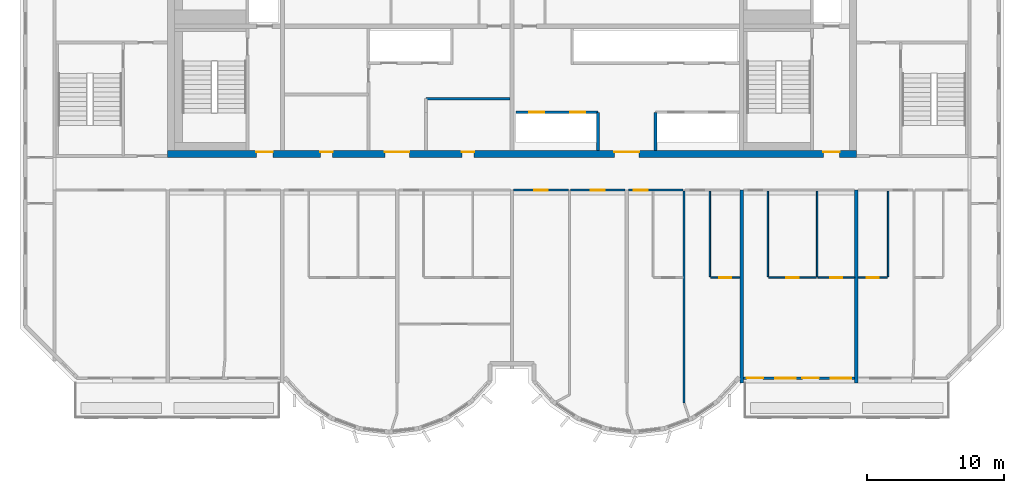
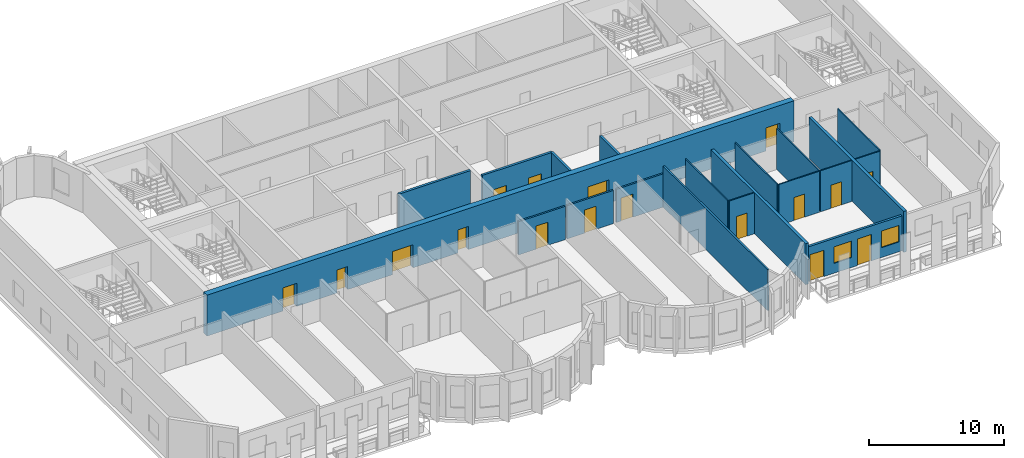
# One storey, part 5 of 12: 20 walls, 17 doors, 2 windows, 19 openings.
"""IFC4 building model written with IfcOpenShell, lengths in metres."""

from ifc_helpers import new_model, si_unit, direction, frame, frame_2d, origin, place, context, subcontext, project, spatial, rectangle, extrude, source, transform, mapped, material, layer, layer_set, type_object, element, fill, save


model = new_model("IFC4")

# Units and contexts
model_context = context("Model", 3, precision=1e-05, world=origin(), true_north=direction((0.0, 1.0)))
body_context = subcontext(model_context, "Body", "Model", "MODEL_VIEW")
ifc_project = project(units=[si_unit("LENGTHUNIT", "METRE"), si_unit("AREAUNIT", "SQUARE_METRE"), si_unit("VOLUMEUNIT", "CUBIC_METRE"), si_unit("PLANEANGLEUNIT", "RADIAN"), si_unit("MASSUNIT", "GRAM", prefix="KILO")], contexts=[model_context])

# Site, building, storey
site_placement = place(None, origin())
site = spatial("IfcSite", under=ifc_project, at=site_placement, CompositionType="ELEMENT")
building_placement = place(site_placement, origin())
building = spatial("IfcBuilding", under=site, at=building_placement, Name="Vanashikhar Sky Hotel", CompositionType="ELEMENT")
storey_placement = place(building_placement, frame((0.0, 0.0, 309.699951171875)))
storey = spatial("IfcBuildingStorey", under=building, at=storey_placement, Name="L74", CompositionType="ELEMENT", Elevation=309.699951171875)

# Wall, openings, doors
ifc_material_1 = material(Name="Concrete M50", Category="concrete")
ifc_layer_1 = layer(ifc_material_1, 0.5)
ifc_layer_set_1 = layer_set([ifc_layer_1], Name="RC core shell wall 500 Concrete M50")
wall_type_1 = type_object("IfcWallType", Name="RC core shell wall 500 Concrete M50", PredefinedType="SHEAR", material=ifc_layer_set_1)
shared_shape_1 = source(origin(), body_context, "Body", "SweptSolid", [
    extrude(rectangle(XDim=50.400146484375, YDim=0.5, at=frame_2d((25.2001953125, 0.0))), origin(), (0.0, 0.0, 1.0), 3.719970703125),
])
wall_1_placement = place(storey_placement, frame((25.199951171875, 22.25, 0.0), z_axis=(0.0, 0.0, 1.0), x_axis=(1.0, 0.0, 0.0)))
wall_1 = element("IfcWall", 1, at=wall_1_placement, inside=storey, type_object=wall_type_1, Name="KW-L74-KS", PredefinedType="SHEAR", context=body_context, shape_type="MappedRepresentation", body=[
    mapped(shared_shape_1, transform((0.0, 0.0, 0.0), scale=1.0)),
])
shared_shape_2 = source(origin(), body_context, "Body", "SweptSolid", [
    extrude(rectangle(XDim=1.800048828125, YDim=2.10009765625, at=frame_2d((0.89990234375, 1.050048828125))), frame((0.0, 0.260009765625, 0.0), z_axis=(0.0, -1.0, 0.0), x_axis=(1.0, 0.0, 0.0)), (0.0, 0.0, 1.0), 0.52001953125),
])
opening_1_placement = place(wall_1_placement, frame((15.89990234375, 0.0, 0.0)))
opening_1 = element("IfcOpeningElement", 2, at=opening_1_placement, cuts=wall_1, Name="Opening DC-3-A", PredefinedType="OPENING", context=body_context, shape_type="MappedRepresentation", body=[
    mapped(shared_shape_2, transform((0.0, 0.0, 0.0), scale=1.0)),
])
shared_shape_3 = source(origin(), body_context, "Body", "SweptSolid", [
    extrude(rectangle(XDim=0.89990234375, YDim=2.10009765625, at=frame_2d((0.449951171875, 1.050048828125))), frame((0.0, 0.260009765625, 0.0), z_axis=(0.0, -1.0, 0.0), x_axis=(1.0, 0.0, 0.0)), (0.0, 0.0, 1.0), 0.52001953125),
])
opening_2_placement = place(wall_1_placement, frame((11.175048828125, 0.0, 0.0)))
opening_2 = element("IfcOpeningElement", 3, at=opening_2_placement, cuts=wall_1, Name="Opening DC-4-A", PredefinedType="OPENING", context=body_context, shape_type="MappedRepresentation", body=[
    mapped(shared_shape_3, transform((0.0, 0.0, 0.0), scale=1.0)),
])
opening_3_placement = place(wall_1_placement, frame((21.52490234375, 0.0, 0.0)))
opening_3 = element("IfcOpeningElement", 4, at=opening_3_placement, cuts=wall_1, Name="Opening DC-4-A", PredefinedType="OPENING", context=body_context, shape_type="MappedRepresentation", body=[
    mapped(shared_shape_3, transform((0.0, 0.0, 0.0), scale=1.0)),
])
opening_4_placement = place(wall_1_placement, frame((32.699951171875, 0.0, 0.0)))
opening_4 = element("IfcOpeningElement", 5, at=opening_4_placement, cuts=wall_1, Name="Opening DC-3-A", PredefinedType="OPENING", context=body_context, shape_type="MappedRepresentation", body=[
    mapped(shared_shape_2, transform((0.0, 0.0, 0.0), scale=1.0)),
])
shared_shape_4 = source(origin(), body_context, "Body", "SweptSolid", [
    extrude(rectangle(XDim=1.199951171875, YDim=2.10009765625, at=frame_2d((0.60009765625, 1.050048828125))), frame((0.0, 0.260009765625, 0.0), z_axis=(0.0, -1.0, 0.0), x_axis=(1.0, 0.0, 0.0)), (0.0, 0.0, 1.0), 0.52001953125),
])
opening_5_placement = place(wall_1_placement, frame((6.5, 0.0, 0.0)))
opening_5 = element("IfcOpeningElement", 6, at=opening_5_placement, cuts=wall_1, Name="Opening DC-2", PredefinedType="OPENING", context=body_context, shape_type="MappedRepresentation", body=[
    mapped(shared_shape_4, transform((0.0, 0.0, 0.0), scale=1.0)),
])
opening_6_placement = place(wall_1_placement, frame((47.97509765625, 0.0, 0.0)))
opening_6 = element("IfcOpeningElement", 7, at=opening_6_placement, cuts=wall_1, Name="Opening DC-2", PredefinedType="OPENING", context=body_context, shape_type="MappedRepresentation", body=[
    mapped(shared_shape_4, transform((0.0, 0.0, 0.0), scale=1.0)),
])
ifc_material_2 = material(Name="Steel", Category="steel")
door_type_1 = type_object("IfcDoorType", Name="Firefighting lobby door 1200 FD120", OperationType="NOTDEFINED", PredefinedType="DOOR", material=ifc_material_2)
shared_shape_5 = source(origin(), body_context, "Body", "SweptSolid", [
    extrude(rectangle(XDim=1.199951171875, YDim=2.10009765625, at=frame_2d((0.60009765625, 1.050048828125))), frame((0.0, 0.1748046875, 0.0), z_axis=(0.0, -1.0, 0.0), x_axis=(1.0, 0.0, 0.0)), (0.0, 0.0, 1.0), 0.050048828125),
])
door_1_placement = place(opening_5_placement, origin())
door_1 = element("IfcDoor", 8, at=door_1_placement, inside=storey, type_object=door_type_1, Name="Firefighting lobby door 1200 FD120", OperationType="SINGLE_SWING_LEFT", OverallHeight=2.10009765625, OverallWidth=1.199951171875, PredefinedType="DOOR", context=body_context, shape_type="MappedRepresentation", body=[
    mapped(shared_shape_5, transform((0.0, 0.0, 0.0), scale=1.0)),
])
fill(opening_5, door_1)
door_2_placement = place(opening_6_placement, origin())
door_2 = element("IfcDoor", 9, at=door_2_placement, inside=storey, type_object=door_type_1, Name="Firefighting lobby door 1200 FD120", OperationType="SINGLE_SWING_RIGHT", OverallHeight=2.10009765625, OverallWidth=1.199951171875, PredefinedType="DOOR", context=body_context, shape_type="MappedRepresentation", body=[
    mapped(shared_shape_5, transform((0.0, 0.0, 0.0), scale=1.0)),
])
fill(opening_6, door_2)
door_type_2 = type_object("IfcDoorType", Name="Service door 900 FD60", OperationType="NOTDEFINED", PredefinedType="DOOR", material=ifc_material_2)
shared_shape_6 = source(origin(), body_context, "Body", "SweptSolid", [
    extrude(rectangle(XDim=0.89990234375, YDim=2.10009765625, at=frame_2d((0.449951171875, 1.050048828125))), frame((0.0, 0.1748046875, 0.0), z_axis=(0.0, -1.0, 0.0), x_axis=(1.0, 0.0, 0.0)), (0.0, 0.0, 1.0), 0.050048828125),
])
door_3_placement = place(opening_2_placement, origin())
door_3 = element("IfcDoor", 10, at=door_3_placement, inside=storey, type_object=door_type_2, Name="Service door 900 FD60", OperationType="SINGLE_SWING_LEFT", OverallHeight=2.10009765625, OverallWidth=0.89990234375, PredefinedType="DOOR", context=body_context, shape_type="MappedRepresentation", body=[
    mapped(shared_shape_6, transform((0.0, 0.0, 0.0), scale=1.0)),
])
fill(opening_2, door_3)
door_4_placement = place(opening_3_placement, origin())
door_4 = element("IfcDoor", 11, at=door_4_placement, inside=storey, type_object=door_type_2, Name="Service door 900 FD60", OperationType="SINGLE_SWING_LEFT", OverallHeight=2.10009765625, OverallWidth=0.89990234375, PredefinedType="DOOR", context=body_context, shape_type="MappedRepresentation", body=[
    mapped(shared_shape_6, transform((0.0, 0.0, 0.0), scale=1.0)),
])
fill(opening_3, door_4)
ifc_material_3 = material(Name="Glass", Category="glass")
door_type_3 = type_object("IfcDoorType", Name="Lift lobby entrance door 1800 FD30S", OperationType="NOTDEFINED", PredefinedType="DOOR", material=ifc_material_3)
shared_shape_7 = source(origin(), body_context, "Body", "SweptSolid", [
    extrude(rectangle(XDim=1.800048828125, YDim=2.10009765625, at=frame_2d((0.89990234375, 1.050048828125))), frame((0.0, 0.1748046875, 0.0), z_axis=(0.0, -1.0, 0.0), x_axis=(1.0, 0.0, 0.0)), (0.0, 0.0, 1.0), 0.050048828125),
])
door_5_placement = place(opening_1_placement, origin())
door_5 = element("IfcDoor", 12, at=door_5_placement, inside=storey, type_object=door_type_3, Name="Lift lobby entrance door 1800 FD30S", OperationType="DOUBLE_DOOR_SINGLE_SWING", OverallHeight=2.10009765625, OverallWidth=1.800048828125, PredefinedType="DOOR", context=body_context, shape_type="MappedRepresentation", body=[
    mapped(shared_shape_7, transform((0.0, 0.0, 0.0), scale=1.0)),
])
fill(opening_1, door_5)
door_6_placement = place(opening_4_placement, origin())
door_6 = element("IfcDoor", 13, at=door_6_placement, inside=storey, type_object=door_type_3, Name="Lift lobby entrance door 1800 FD30S", OperationType="DOUBLE_DOOR_SINGLE_SWING", OverallHeight=2.10009765625, OverallWidth=1.800048828125, PredefinedType="DOOR", context=body_context, shape_type="MappedRepresentation", body=[
    mapped(shared_shape_7, transform((0.0, 0.0, 0.0), scale=1.0)),
])
fill(opening_4, door_6)

# Walls
ifc_layer_2 = layer(ifc_material_1, 0.25)
ifc_layer_set_2 = layer_set([ifc_layer_2], Name="RC shear wall 250 Concrete M50")
wall_type_2 = type_object("IfcWallType", Name="RC shear wall 250 Concrete M50", PredefinedType="SHEAR", material=ifc_layer_set_2)
shared_shape_8 = source(origin(), body_context, "Body", "SweptSolid", [
    extrude(rectangle(XDim=14.10009765625, YDim=0.25, at=frame_2d((7.050048828125, 0.0))), origin(), (0.0, 0.0, 1.0), 3.719970703125),
])
for number, where, z_axis, x_axis, name in (
    (14, (67.199951171875, 5.5, 0.0), (0.0, 0.0, 1.0), (0.0, 1.0, 0.0), "CW-L74-XW09-1"),
    (15, (75.60009765625, 5.5, 0.0), (0.0, 0.0, 1.0), (0.0, 1.0, 0.0), "CW-L74-XW10-1"),
):
    element("IfcWall", number, at=place(storey_placement, frame(where, z_axis=z_axis, x_axis=x_axis)), inside=storey, type_object=wall_type_2, Name=name, PredefinedType="SHEAR", context=body_context, shape_type="MappedRepresentation", body=[
        mapped(shared_shape_8, transform((0.0, 0.0, 0.0), scale=1.0)),
    ])

# Wall, openings, windows, doors
ifc_layer_3 = layer(ifc_material_1, 0.199951171875)
ifc_layer_set_3 = layer_set([ifc_layer_3], Name="Front window wall 200")
wall_type_3 = type_object("IfcWallType", Name="Front window wall 200", PredefinedType="SOLIDWALL", material=ifc_layer_set_3)
shared_shape_9 = source(origin(), body_context, "Body", "SweptSolid", [
    extrude(rectangle(XDim=8.150146484375, YDim=0.199951171875, at=frame_2d((4.0751953125, 0.0))), origin(), (0.0, 0.0, 1.0), 3.170166015625),
])
wall_2_placement = place(storey_placement, frame((67.324951171875, 5.85009765625, 0.0), z_axis=(0.0, 0.0, 1.0), x_axis=(1.0, 0.0, 0.0)))
wall_2 = element("IfcWall", 16, at=wall_2_placement, inside=storey, type_object=wall_type_3, Name="Front window wall", PredefinedType="SOLIDWALL", context=body_context, shape_type="MappedRepresentation", body=[
    mapped(shared_shape_9, transform((0.0, 0.0, 0.0), scale=1.0)),
])
shared_shape_10 = source(origin(), body_context, "Body", "SweptSolid", [
    extrude(rectangle(XDim=1.199951171875, YDim=2.39990234375, at=frame_2d((0.60009765625, 1.199951171875))), frame((0.0, 0.10986328125, 0.0), z_axis=(0.0, -1.0, 0.0), x_axis=(1.0, 0.0, 0.0)), (0.0, 0.0, 1.0), 0.219970703125),
])
opening_7_placement = place(wall_2_placement, frame((0.25, 0.0, 0.0)))
opening_7 = element("IfcOpeningElement", 17, at=opening_7_placement, cuts=wall_2, Name="Opening BD-03", PredefinedType="OPENING", context=body_context, shape_type="MappedRepresentation", body=[
    mapped(shared_shape_10, transform((0.0, 0.0, 0.0), scale=1.0)),
])
shared_shape_11 = source(origin(), body_context, "Body", "SweptSolid", [
    extrude(rectangle(XDim=1.5, YDim=1.5, at=frame_2d((0.75, 0.75))), frame((0.0, 0.10986328125, 0.0), z_axis=(0.0, -1.0, 0.0), x_axis=(1.0, 0.0, 0.0)), (0.0, 0.0, 1.0), 0.219970703125),
])
opening_8_placement = place(wall_2_placement, frame((2.324951171875, 0.0, 0.89990234375)))
opening_8 = element("IfcOpeningElement", 18, at=opening_8_placement, cuts=wall_2, Name="Opening WN-1", PredefinedType="OPENING", context=body_context, shape_type="MappedRepresentation", body=[
    mapped(shared_shape_11, transform((0.0, 0.0, 0.0), scale=1.0)),
])
opening_9_placement = place(wall_2_placement, frame((4.324951171875, 0.0, 0.0)))
opening_9 = element("IfcOpeningElement", 19, at=opening_9_placement, cuts=wall_2, Name="Opening BD-04", PredefinedType="OPENING", context=body_context, shape_type="MappedRepresentation", body=[
    mapped(shared_shape_10, transform((0.0, 0.0, 0.0), scale=1.0)),
])
opening_10_placement = place(wall_2_placement, frame((6.39990234375, 0.0, 0.89990234375)))
opening_10 = element("IfcOpeningElement", 20, at=opening_10_placement, cuts=wall_2, Name="Opening WN-1", PredefinedType="OPENING", context=body_context, shape_type="MappedRepresentation", body=[
    mapped(shared_shape_11, transform((0.0, 0.0, 0.0), scale=1.0)),
])
window_type = type_object("IfcWindowType", Name="Window 1500 x 1500", PartitioningType="SINGLE_PANEL", PredefinedType="WINDOW", material=ifc_material_3)
shared_shape_12 = source(origin(), body_context, "Body", "SweptSolid", [
    extrude(rectangle(XDim=1.5, YDim=1.5, at=frame_2d((0.75, 0.75))), frame((0.0, 0.030029296875, 0.0), z_axis=(0.0, -1.0, 0.0), x_axis=(1.0, 0.0, 0.0)), (0.0, 0.0, 1.0), 0.06005859375),
])
window_1_placement = place(opening_8_placement, origin())
window_1 = element("IfcWindow", 21, at=window_1_placement, inside=storey, type_object=window_type, Name="Window WN-1", OverallHeight=1.5, OverallWidth=1.5, PartitioningType="SINGLE_PANEL", PredefinedType="WINDOW", context=body_context, shape_type="MappedRepresentation", body=[
    mapped(shared_shape_12, transform((0.0, 0.0, 0.0), scale=1.0)),
])
fill(opening_8, window_1)
window_2_placement = place(opening_10_placement, origin())
window_2 = element("IfcWindow", 22, at=window_2_placement, inside=storey, type_object=window_type, Name="Window WN-1", OverallHeight=1.5, OverallWidth=1.5, PartitioningType="SINGLE_PANEL", PredefinedType="WINDOW", context=body_context, shape_type="MappedRepresentation", body=[
    mapped(shared_shape_12, transform((0.0, 0.0, 0.0), scale=1.0)),
])
fill(opening_10, window_2)
ifc_material_4 = material(Name="Aluminium", Category="aluminium")
door_type_4 = type_object("IfcDoorType", Name="Balcony sliding door 1200 x 2400", OperationType="NOTDEFINED", PredefinedType="DOOR", material=ifc_material_4)
shared_shape_13 = source(origin(), body_context, "Body", "SweptSolid", [
    extrude(rectangle(XDim=1.199951171875, YDim=2.39990234375, at=frame_2d((0.60009765625, 1.199951171875))), frame((0.0, 0.02490234375, 0.0), z_axis=(0.0, -1.0, 0.0), x_axis=(1.0, 0.0, 0.0)), (0.0, 0.0, 1.0), 0.050048828125),
])
door_7_placement = place(opening_7_placement, origin())
door_7 = element("IfcDoor", 23, at=door_7_placement, inside=storey, type_object=door_type_4, Name="Balcony sliding door", OperationType="SLIDING_TO_LEFT", OverallHeight=2.39990234375, OverallWidth=1.199951171875, PredefinedType="DOOR", context=body_context, shape_type="MappedRepresentation", body=[
    mapped(shared_shape_13, transform((0.0, 0.0, 0.0), scale=1.0)),
])
fill(opening_7, door_7)
door_8_placement = place(opening_9_placement, origin())
door_8 = element("IfcDoor", 24, at=door_8_placement, inside=storey, type_object=door_type_4, Name="Balcony sliding door", OperationType="SLIDING_TO_RIGHT", OverallHeight=2.39990234375, OverallWidth=1.199951171875, PredefinedType="DOOR", context=body_context, shape_type="MappedRepresentation", body=[
    mapped(shared_shape_13, transform((0.0, 0.0, 0.0), scale=1.0)),
])
fill(opening_9, door_8)

# Wall, openings, doors
ifc_material_5 = material(Name="Concrete M40", Category="concrete")
ifc_layer_4 = layer(ifc_material_5, 0.199951171875)
ifc_layer_set_4 = layer_set([ifc_layer_4], Name="Shaft wall 200")
wall_type_4 = type_object("IfcWallType", Name="Shaft wall 200", PredefinedType="SOLIDWALL", material=ifc_layer_set_4)
shared_shape_14 = source(origin(), body_context, "Body", "SweptSolid", [
    extrude(rectangle(XDim=6.0, YDim=0.199951171875, at=frame_2d((3.0, 0.0))), origin(), (0.0, 0.0, 1.0), 3.719970703125),
])
wall_3_placement = place(storey_placement, frame((56.699951171875, 25.300048828125, 0.0), z_axis=(0.0, 0.0, 1.0), x_axis=(-1.0, 0.0, 0.0)))
wall_3 = element("IfcWall", 25, at=wall_3_placement, inside=storey, type_object=wall_type_4, Name="Shaft wall 200", PredefinedType="SOLIDWALL", context=body_context, shape_type="MappedRepresentation", body=[
    mapped(shared_shape_14, transform((0.0, 0.0, 0.0), scale=1.0)),
])
shared_shape_15 = source(origin(), body_context, "Body", "SweptSolid", [
    extrude(rectangle(XDim=1.10009765625, YDim=2.10009765625, at=frame_2d((0.550048828125, 1.050048828125))), frame((0.0, 0.10986328125, 0.0), z_axis=(0.0, -1.0, 0.0), x_axis=(1.0, 0.0, 0.0)), (0.0, 0.0, 1.0), 0.219970703125),
])
opening_11_placement = place(wall_3_placement, frame((0.949951171875, 0.0, 0.0)))
opening_11 = element("IfcOpeningElement", 26, at=opening_11_placement, cuts=wall_3, Name="Opening LD", PredefinedType="OPENING", context=body_context, shape_type="MappedRepresentation", body=[
    mapped(shared_shape_15, transform((0.0, 0.0, 0.0), scale=1.0)),
])
opening_12_placement = place(wall_3_placement, frame((3.949951171875, 0.0, 0.0)))
opening_12 = element("IfcOpeningElement", 27, at=opening_12_placement, cuts=wall_3, Name="Opening LD", PredefinedType="OPENING", context=body_context, shape_type="MappedRepresentation", body=[
    mapped(shared_shape_15, transform((0.0, 0.0, 0.0), scale=1.0)),
])
ifc_material_6 = material(Name="Stainless steel", Category="steel")
door_type_5 = type_object("IfcDoorType", Name="Lift landing door 1100", OperationType="NOTDEFINED", PredefinedType="DOOR", material=ifc_material_6)
shared_shape_16 = source(origin(), body_context, "Body", "SweptSolid", [
    extrude(rectangle(XDim=1.10009765625, YDim=2.10009765625, at=frame_2d((0.550048828125, 1.050048828125))), frame((0.0, 0.02490234375, 0.0), z_axis=(0.0, -1.0, 0.0), x_axis=(1.0, 0.0, 0.0)), (0.0, 0.0, 1.0), 0.050048828125),
])
door_9_placement = place(opening_11_placement, origin())
door_9 = element("IfcDoor", 28, at=door_9_placement, inside=storey, type_object=door_type_5, Name="Lift landing door 1100", OperationType="SLIDING_TO_RIGHT", OverallHeight=2.10009765625, OverallWidth=1.10009765625, PredefinedType="DOOR", context=body_context, shape_type="MappedRepresentation", body=[
    mapped(shared_shape_16, transform((0.0, 0.0, 0.0), scale=1.0)),
])
fill(opening_11, door_9)
door_10_placement = place(opening_12_placement, origin())
door_10 = element("IfcDoor", 29, at=door_10_placement, inside=storey, type_object=door_type_5, Name="Lift landing door 1100", OperationType="SLIDING_TO_LEFT", OverallHeight=2.10009765625, OverallWidth=1.10009765625, PredefinedType="DOOR", context=body_context, shape_type="MappedRepresentation", body=[
    mapped(shared_shape_16, transform((0.0, 0.0, 0.0), scale=1.0)),
])
fill(opening_12, door_10)

# Walls
shared_shape_17 = source(origin(), body_context, "Body", "SweptSolid", [
    extrude(rectangle(XDim=2.800048828125, YDim=0.199951171875, at=frame_2d((1.39990234375, 0.0))), origin(), (0.0, 0.0, 1.0), 3.719970703125),
])
for number, where, z_axis, x_axis, name in (
    (30, (60.89990234375, 22.5, 0.0), (0.0, 0.0, 1.0), (0.0, 1.0, 0.0), "Shaft wall 200"),
    (31, (56.699951171875, 22.5, 0.0), (0.0, 0.0, 1.0), (0.0, 1.0, 0.0), "Shaft wall 200"),
):
    element("IfcWall", number, at=place(storey_placement, frame(where, z_axis=z_axis, x_axis=x_axis)), inside=storey, type_object=wall_type_4, Name=name, PredefinedType="SOLIDWALL", context=body_context, shape_type="MappedRepresentation", body=[
        mapped(shared_shape_17, transform((0.0, 0.0, 0.0), scale=1.0)),
    ])
ifc_material_7 = material(Name="Gypsum board partition")
ifc_layer_5 = layer(ifc_material_7, 0.14990234375)
ifc_layer_set_5 = layer_set([ifc_layer_5], Name="Service partition 150")
wall_type_5 = type_object("IfcWallType", Name="Service partition 150", PredefinedType="PARTITIONING", material=ifc_layer_set_5)
shared_shape_18 = source(origin(), body_context, "Body", "SweptSolid", [
    extrude(rectangle(XDim=6.14990234375, YDim=0.199951171875, at=frame_2d((3.074951171875, 0.0))), origin(), (0.0, 0.0, 1.0), 3.719970703125),
])
wall_4_placement = place(storey_placement, frame((44.10009765625, 26.300048828125, 0.0), z_axis=(0.0, 0.0, 1.0), x_axis=(1.0, 0.0, 0.0)))
element("IfcWall", 32, at=wall_4_placement, inside=storey, type_object=wall_type_5, Name="Service partition 150", PredefinedType="PARTITIONING", context=body_context, shape_type="MappedRepresentation", body=[
    mapped(shared_shape_18, transform((0.0, 0.0, 0.0), scale=1.0)),
])
ifc_material_8 = material(Name="Gypsum plasterboard partition")
ifc_layer_6 = layer(ifc_material_8, 0.10009765625)
ifc_layer_set_6 = layer_set([ifc_layer_6], Name="Wet room partition 100")
wall_type_6 = type_object("IfcWallType", Name="Wet room partition 100", PredefinedType="PARTITIONING", material=ifc_layer_set_6)
shared_shape_19 = source(origin(), body_context, "Body", "SweptSolid", [
    extrude(rectangle(XDim=6.25, YDim=0.10009765625, at=frame_2d((3.125, 0.0))), origin(), (0.0, 0.0, 1.0), 3.719970703125),
])
for number, where, z_axis, x_axis, name in (
    (33, (64.875, 13.27490234375, 0.0), (0.0, 0.0, 1.0), (0.0, 1.0, 0.0), "W-L74-PW022"),
    (34, (69.125, 13.27490234375, 0.0), (0.0, 0.0, 1.0), (0.0, 1.0, 0.0), "W-L74-PW026"),
    (35, (72.72509765625, 13.27490234375, 0.0), (0.0, 0.0, 1.0), (0.0, 1.0, 0.0), "W-L74-PW027"),
    (36, (77.925048828125, 13.27490234375, 0.0), (0.0, 0.0, 1.0), (0.0, 1.0, 0.0), "W-L74-PW031"),
):
    element("IfcWall", number, at=place(storey_placement, frame(where, z_axis=z_axis, x_axis=x_axis)), inside=storey, type_object=wall_type_6, Name=name, PredefinedType="PARTITIONING", context=body_context, shape_type="MappedRepresentation", body=[
        mapped(shared_shape_19, transform((0.0, 0.0, 0.0), scale=1.0)),
    ])

# Wall, opening, door
shared_shape_20 = source(origin(), body_context, "Body", "SweptSolid", [
    extrude(rectangle(XDim=3.5, YDim=0.10009765625, at=frame_2d((1.75, 0.0))), origin(), (0.0, 0.0, 1.0), 3.719970703125),
])
wall_5_placement = place(storey_placement, frame((69.175048828125, 13.199951171875, 0.0), z_axis=(0.0, 0.0, 1.0), x_axis=(1.0, 0.0, 0.0)))
wall_5 = element("IfcWall", 37, at=wall_5_placement, inside=storey, type_object=wall_type_6, Name="W-L74-PW028", PredefinedType="PARTITIONING", context=body_context, shape_type="MappedRepresentation", body=[
    mapped(shared_shape_20, transform((0.0, 0.0, 0.0), scale=1.0)),
])
shared_shape_21 = source(origin(), body_context, "Body", "SweptSolid", [
    extrude(rectangle(XDim=0.89990234375, YDim=2.10009765625, at=frame_2d((0.449951171875, 1.050048828125))), frame((0.0, 0.06005859375, 0.0), z_axis=(0.0, -1.0, 0.0), x_axis=(1.0, 0.0, 0.0)), (0.0, 0.0, 1.0), 0.1201171875),
])
opening_13_placement = place(wall_5_placement, frame((1.300048828125, 0.0, 0.0)))
opening_13 = element("IfcOpeningElement", 38, at=opening_13_placement, cuts=wall_5, Name="Opening D-02", PredefinedType="OPENING", context=body_context, shape_type="MappedRepresentation", body=[
    mapped(shared_shape_21, transform((0.0, 0.0, 0.0), scale=1.0)),
])
ifc_material_9 = material(Name="Timber door", Category="wood")
door_type_6 = type_object("IfcDoorType", Name="Internal door 900", OperationType="NOTDEFINED", PredefinedType="DOOR", material=ifc_material_9)
shared_shape_22 = source(origin(), body_context, "Body", "SweptSolid", [
    extrude(rectangle(XDim=0.89990234375, YDim=2.10009765625, at=frame_2d((0.449951171875, 1.050048828125))), frame((0.0, 0.02490234375, 0.0), z_axis=(0.0, -1.0, 0.0), x_axis=(1.0, 0.0, 0.0)), (0.0, 0.0, 1.0), 0.050048828125),
])
door_11_placement = place(opening_13_placement, origin())
door_11 = element("IfcDoor", 39, at=door_11_placement, inside=storey, type_object=door_type_6, Name="D-L74-017", OperationType="SINGLE_SWING_LEFT", OverallHeight=2.10009765625, OverallWidth=0.89990234375, PredefinedType="DOOR", context=body_context, shape_type="MappedRepresentation", body=[
    mapped(shared_shape_22, transform((0.0, 0.0, 0.0), scale=1.0)),
])
fill(opening_13, door_11)

shared_shape_23 = source(origin(), body_context, "Body", "SweptSolid", [
    extrude(rectangle(XDim=2.7001953125, YDim=0.10009765625, at=frame_2d((1.35009765625, 0.0))), origin(), (0.0, 0.0, 1.0), 3.719970703125),
])
wall_6_placement = place(storey_placement, frame((72.77490234375, 13.199951171875, 0.0), z_axis=(0.0, 0.0, 1.0), x_axis=(1.0, 0.0, 0.0)))
wall_6 = element("IfcWall", 40, at=wall_6_placement, inside=storey, type_object=wall_type_6, Name="W-L74-PW029", PredefinedType="PARTITIONING", context=body_context, shape_type="MappedRepresentation", body=[
    mapped(shared_shape_23, transform((0.0, 0.0, 0.0), scale=1.0)),
])
opening_14_placement = place(wall_6_placement, frame((0.89990234375, 0.0, 0.0)))
opening_14 = element("IfcOpeningElement", 41, at=opening_14_placement, cuts=wall_6, Name="Opening D-02", PredefinedType="OPENING", context=body_context, shape_type="MappedRepresentation", body=[
    mapped(shared_shape_21, transform((0.0, 0.0, 0.0), scale=1.0)),
])
door_12_placement = place(opening_14_placement, origin())
door_12 = element("IfcDoor", 42, at=door_12_placement, inside=storey, type_object=door_type_6, Name="D-L74-018", OperationType="SINGLE_SWING_LEFT", OverallHeight=2.10009765625, OverallWidth=0.89990234375, PredefinedType="DOOR", context=body_context, shape_type="MappedRepresentation", body=[
    mapped(shared_shape_22, transform((0.0, 0.0, 0.0), scale=1.0)),
])
fill(opening_14, door_12)

ifc_layer_7 = layer(ifc_material_8, 0.14990234375)
ifc_layer_set_7 = layer_set([ifc_layer_7], Name="Corridor and demising partition 150")
wall_type_7 = type_object("IfcWallType", Name="Corridor and demising partition 150", PredefinedType="PARTITIONING", material=ifc_layer_set_7)
shared_shape_24 = source(origin(), body_context, "Body", "SweptSolid", [
    extrude(rectangle(XDim=4.0, YDim=0.14990234375, at=frame_2d((2.0, 0.0))), origin(), (0.0, 0.0, 1.0), 3.02001953125),
])
wall_7_placement = place(storey_placement, frame((50.52490234375, 19.60009765625, 0.0), z_axis=(0.0, 0.0, 1.0), x_axis=(1.0, 0.0, 0.0)))
wall_7 = element("IfcWall", 43, at=wall_7_placement, inside=storey, type_object=wall_type_7, Name="W-L74-PW016", PredefinedType="PARTITIONING", context=body_context, shape_type="MappedRepresentation", body=[
    mapped(shared_shape_24, transform((0.0, 0.0, 0.0), scale=1.0)),
])
shared_shape_25 = source(origin(), body_context, "Body", "SweptSolid", [
    extrude(rectangle(XDim=1.0, YDim=2.10009765625, at=frame_2d((0.5, 1.050048828125))), frame((0.0, 0.0849609375, 0.0), z_axis=(0.0, -1.0, 0.0), x_axis=(1.0, 0.0, 0.0)), (0.0, 0.0, 1.0), 0.169921875),
])
opening_15_placement = place(wall_7_placement, frame((1.5, 0.0, 0.0)))
opening_15 = element("IfcOpeningElement", 44, at=opening_15_placement, cuts=wall_7, Name="Opening D-01", PredefinedType="OPENING", context=body_context, shape_type="MappedRepresentation", body=[
    mapped(shared_shape_25, transform((0.0, 0.0, 0.0), scale=1.0)),
])
ifc_material_10 = material(Name="Timber fire door", Category="wood")
door_type_7 = type_object("IfcDoorType", Name="Guest entry door 1000 FD30S", OperationType="NOTDEFINED", PredefinedType="DOOR", material=ifc_material_10)
shared_shape_26 = source(origin(), body_context, "Body", "SweptSolid", [
    extrude(rectangle(XDim=1.0, YDim=2.10009765625, at=frame_2d((0.5, 1.050048828125))), frame((0.0, 0.02490234375, 0.0), z_axis=(0.0, -1.0, 0.0), x_axis=(1.0, 0.0, 0.0)), (0.0, 0.0, 1.0), 0.050048828125),
])
door_13_placement = place(opening_15_placement, origin())
door_13 = element("IfcDoor", 45, at=door_13_placement, inside=storey, type_object=door_type_7, Name="D-L74-011", OperationType="SINGLE_SWING_LEFT", OverallHeight=2.10009765625, OverallWidth=1.0, PredefinedType="DOOR", context=body_context, shape_type="MappedRepresentation", body=[
    mapped(shared_shape_26, transform((0.0, 0.0, 0.0), scale=1.0)),
])
fill(opening_15, door_13)

wall_8_placement = place(storey_placement, frame((54.675048828125, 19.60009765625, 0.0), z_axis=(0.0, 0.0, 1.0), x_axis=(1.0, 0.0, 0.0)))
wall_8 = element("IfcWall", 46, at=wall_8_placement, inside=storey, type_object=wall_type_7, Name="W-L74-PW017", PredefinedType="PARTITIONING", context=body_context, shape_type="MappedRepresentation", body=[
    mapped(shared_shape_24, transform((0.0, 0.0, 0.0), scale=1.0)),
])
opening_16_placement = place(wall_8_placement, frame((1.5, 0.0, 0.0)))
opening_16 = element("IfcOpeningElement", 47, at=opening_16_placement, cuts=wall_8, Name="Opening D-01", PredefinedType="OPENING", context=body_context, shape_type="MappedRepresentation", body=[
    mapped(shared_shape_25, transform((0.0, 0.0, 0.0), scale=1.0)),
])
door_14_placement = place(opening_16_placement, origin())
door_14 = element("IfcDoor", 48, at=door_14_placement, inside=storey, type_object=door_type_7, Name="D-L74-012", OperationType="SINGLE_SWING_RIGHT", OverallHeight=2.10009765625, OverallWidth=1.0, PredefinedType="DOOR", context=body_context, shape_type="MappedRepresentation", body=[
    mapped(shared_shape_26, transform((0.0, 0.0, 0.0), scale=1.0)),
])
fill(opening_16, door_14)

wall_9_placement = place(storey_placement, frame((58.925048828125, 19.60009765625, 0.0), z_axis=(0.0, 0.0, 1.0), x_axis=(1.0, 0.0, 0.0)))
wall_9 = element("IfcWall", 49, at=wall_9_placement, inside=storey, type_object=wall_type_7, Name="W-L74-PW021", PredefinedType="PARTITIONING", context=body_context, shape_type="MappedRepresentation", body=[
    mapped(shared_shape_24, transform((0.0, 0.0, 0.0), scale=1.0)),
])
opening_17_placement = place(wall_9_placement, frame((0.39990234375, 0.0, 0.0)))
opening_17 = element("IfcOpeningElement", 50, at=opening_17_placement, cuts=wall_9, Name="Opening D-01", PredefinedType="OPENING", context=body_context, shape_type="MappedRepresentation", body=[
    mapped(shared_shape_25, transform((0.0, 0.0, 0.0), scale=1.0)),
])
door_15_placement = place(opening_17_placement, origin())
door_15 = element("IfcDoor", 51, at=door_15_placement, inside=storey, type_object=door_type_7, Name="D-L74-014", OperationType="SINGLE_SWING_LEFT", OverallHeight=2.10009765625, OverallWidth=1.0, PredefinedType="DOOR", context=body_context, shape_type="MappedRepresentation", body=[
    mapped(shared_shape_26, transform((0.0, 0.0, 0.0), scale=1.0)),
])
fill(opening_17, door_15)

# Wall
shared_shape_27 = source(origin(), body_context, "Body", "SweptSolid", [
    extrude(rectangle(XDim=15.497802734375, YDim=0.14990234375, at=frame_2d((7.7490234375, 0.0))), origin(), (0.0, 0.0, 1.0), 3.719970703125),
])
wall_10_placement = place(storey_placement, frame((63.0, 4.027099609375, 0.0), z_axis=(0.0, 0.0, 1.0), x_axis=(0.0, 1.0, 0.0)))
element("IfcWall", 52, at=wall_10_placement, inside=storey, type_object=wall_type_7, Name="W-L74-PW025", PredefinedType="PARTITIONING", context=body_context, shape_type="MappedRepresentation", body=[
    mapped(shared_shape_27, transform((0.0, 0.0, 0.0), scale=1.0)),
])

# Wall, opening, door
shared_shape_28 = source(origin(), body_context, "Body", "SweptSolid", [
    extrude(rectangle(XDim=2.14990234375, YDim=0.10009765625, at=frame_2d((1.074951171875, 0.0))), origin(), (0.0, 0.0, 1.0), 3.719970703125),
])
wall_11_placement = place(storey_placement, frame((64.925048828125, 13.199951171875, 0.0), z_axis=(0.0, 0.0, 1.0), x_axis=(1.0, 0.0, 0.0)))
wall_11 = element("IfcWall", 53, at=wall_11_placement, inside=storey, type_object=wall_type_6, Name="W-L74-PW023", PredefinedType="PARTITIONING", context=body_context, shape_type="MappedRepresentation", body=[
    mapped(shared_shape_28, transform((0.0, 0.0, 0.0), scale=1.0)),
])
opening_18_placement = place(wall_11_placement, frame((0.625, 0.0, 0.0)))
opening_18 = element("IfcOpeningElement", 54, at=opening_18_placement, cuts=wall_11, Name="Opening D-02", PredefinedType="OPENING", context=body_context, shape_type="MappedRepresentation", body=[
    mapped(shared_shape_21, transform((0.0, 0.0, 0.0), scale=1.0)),
])
door_16_placement = place(opening_18_placement, origin())
door_16 = element("IfcDoor", 55, at=door_16_placement, inside=storey, type_object=door_type_6, Name="D-L74-015", OperationType="SINGLE_SWING_LEFT", OverallHeight=2.10009765625, OverallWidth=0.89990234375, PredefinedType="DOOR", context=body_context, shape_type="MappedRepresentation", body=[
    mapped(shared_shape_22, transform((0.0, 0.0, 0.0), scale=1.0)),
])
fill(opening_18, door_16)

wall_12_placement = place(storey_placement, frame((75.72509765625, 13.199951171875, 0.0), z_axis=(0.0, 0.0, 1.0), x_axis=(1.0, 0.0, 0.0)))
wall_12 = element("IfcWall", 56, at=wall_12_placement, inside=storey, type_object=wall_type_6, Name="W-L74-PW032", PredefinedType="PARTITIONING", context=body_context, shape_type="MappedRepresentation", body=[
    mapped(shared_shape_28, transform((0.0, 0.0, 0.0), scale=1.0)),
])
opening_19_placement = place(wall_12_placement, frame((0.625, 0.0, 0.0)))
opening_19 = element("IfcOpeningElement", 57, at=opening_19_placement, cuts=wall_12, Name="Opening D-02", PredefinedType="OPENING", context=body_context, shape_type="MappedRepresentation", body=[
    mapped(shared_shape_21, transform((0.0, 0.0, 0.0), scale=1.0)),
])
door_17_placement = place(opening_19_placement, origin())
door_17 = element("IfcDoor", 58, at=door_17_placement, inside=storey, type_object=door_type_6, Name="D-L74-020", OperationType="SINGLE_SWING_RIGHT", OverallHeight=2.10009765625, OverallWidth=0.89990234375, PredefinedType="DOOR", context=body_context, shape_type="MappedRepresentation", body=[
    mapped(shared_shape_22, transform((0.0, 0.0, 0.0), scale=1.0)),
])
fill(opening_19, door_17)

save(model, "model.ifc")
